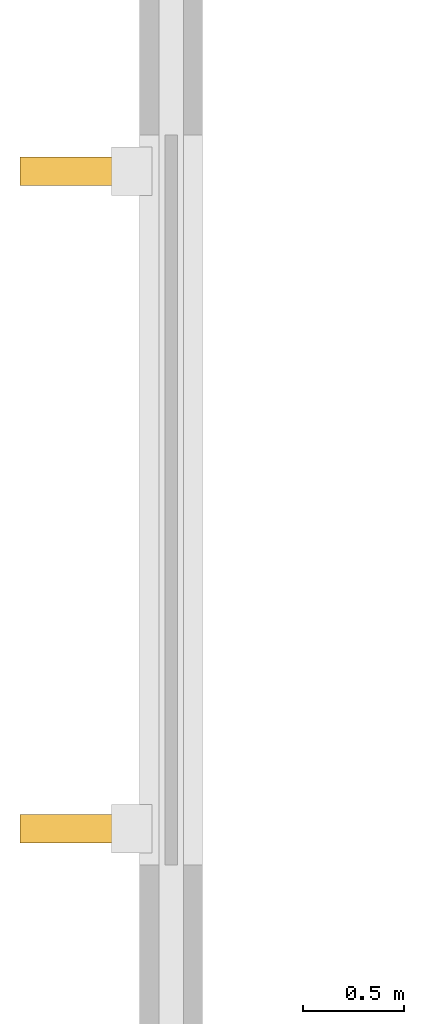
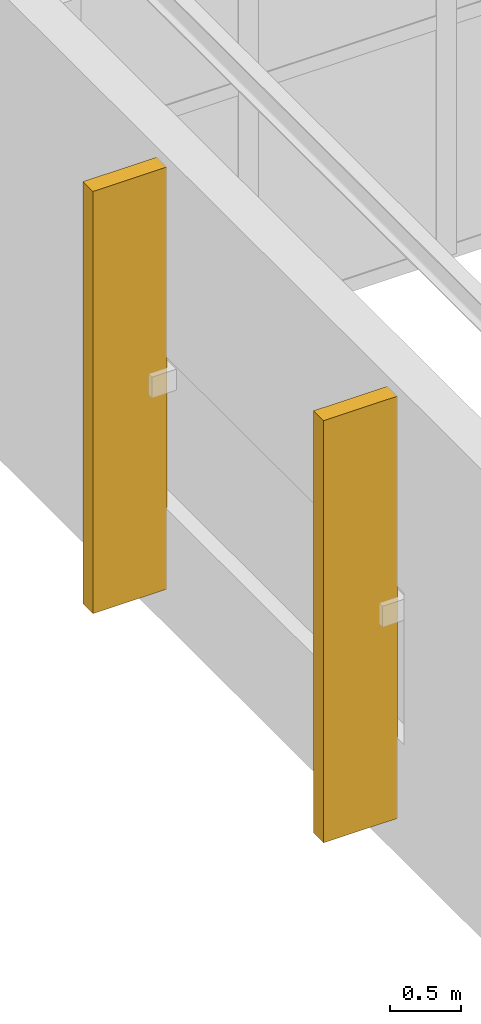
# One storey, part 166 of 167: 2 shading devices.
"""IFC4 building model written with IfcOpenShell, lengths in metres."""

from ifc_helpers import new_model, si_unit, direction, frame, origin, origin_2d, place, context, subcontext, project, spatial, rectangle, extrude, material, layer, layer_set, type_object, element, save


model = new_model("IFC4")

# Units and contexts
model_context = context("Model", 3, precision=1e-05, world=origin(), true_north=direction((0.0, 1.0)))
body_context = subcontext(model_context, "Body", "Model", "MODEL_VIEW")
ifc_project = project(units=[si_unit("LENGTHUNIT", "METRE"), si_unit("AREAUNIT", "SQUARE_METRE"), si_unit("VOLUMEUNIT", "CUBIC_METRE"), si_unit("PLANEANGLEUNIT", "RADIAN"), si_unit("MASSUNIT", "GRAM", prefix="KILO")], contexts=[model_context])

# Site, building, storey
site_placement = place(None, origin())
site = spatial("IfcSite", under=ifc_project, at=site_placement, CompositionType="ELEMENT")
building_placement = place(site_placement, origin())
building = spatial("IfcBuilding", under=site, at=building_placement, Name="Dornveld Trade and Exhibition Forum", CompositionType="ELEMENT")
storey_placement = place(building_placement, frame((0.0, 0.0, 16.800048828125)))
storey = spatial("IfcBuildingStorey", under=building, at=storey_placement, Name="L03", CompositionType="ELEMENT", Elevation=16.800048828125)

# Shading devices
ifc_material = material(Name="Precast concrete C50/60", Category="concrete")
ifc_layer = layer(ifc_material, 0.139892578125)
ifc_layer_set = layer_set([ifc_layer], Name="Precast concrete C50/60")
shading_device_type = type_object("IfcShadingDeviceType", Name="SHD-FIN-600", PredefinedType="JALOUSIE", material=ifc_layer_set)
for number, where, z_axis, x_axis, name in (
    (1, (26.554931640625, 132.1201171875, 0.2998046875), (0.0, 0.0, 1.0), (0.0, -1.0, 0.0), "L03 vertical solar brise-soleil fin 97"),
    (2, (26.554931640625, 128.8798828125, 0.2998046875), (0.0, 0.0, 1.0), (0.0, -1.0, 0.0), "L03 vertical solar brise-soleil fin 98"),
):
    element("IfcShadingDevice", number, at=place(storey_placement, frame(where, z_axis=z_axis, x_axis=x_axis)), inside=storey, type_object=shading_device_type, Name=name, PredefinedType="JALOUSIE", context=body_context, shape_type="SweptSolid", body=[
        extrude(rectangle(XDim=0.139892578125, YDim=0.60009765625, at=origin_2d()), origin(), (0.0, 0.0, 1.0), 3.6201171875),
    ])

save(model, "model.ifc")
